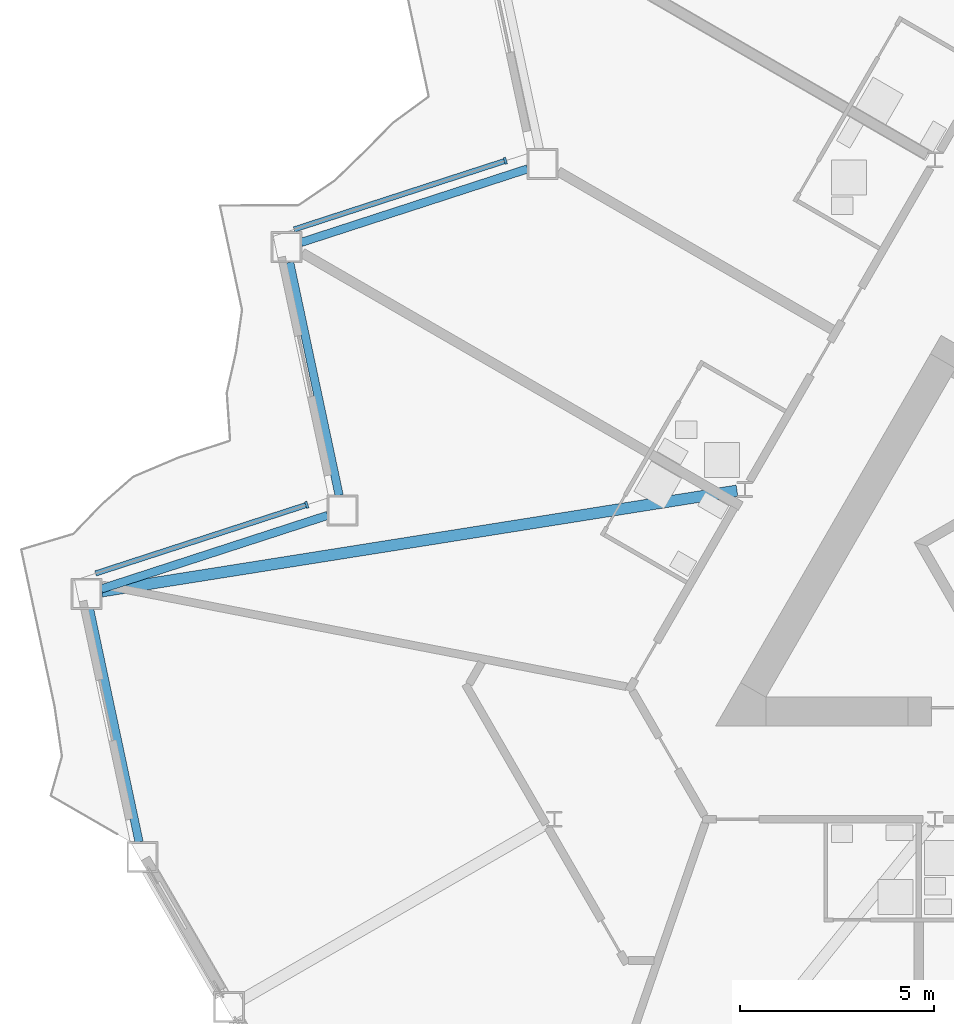
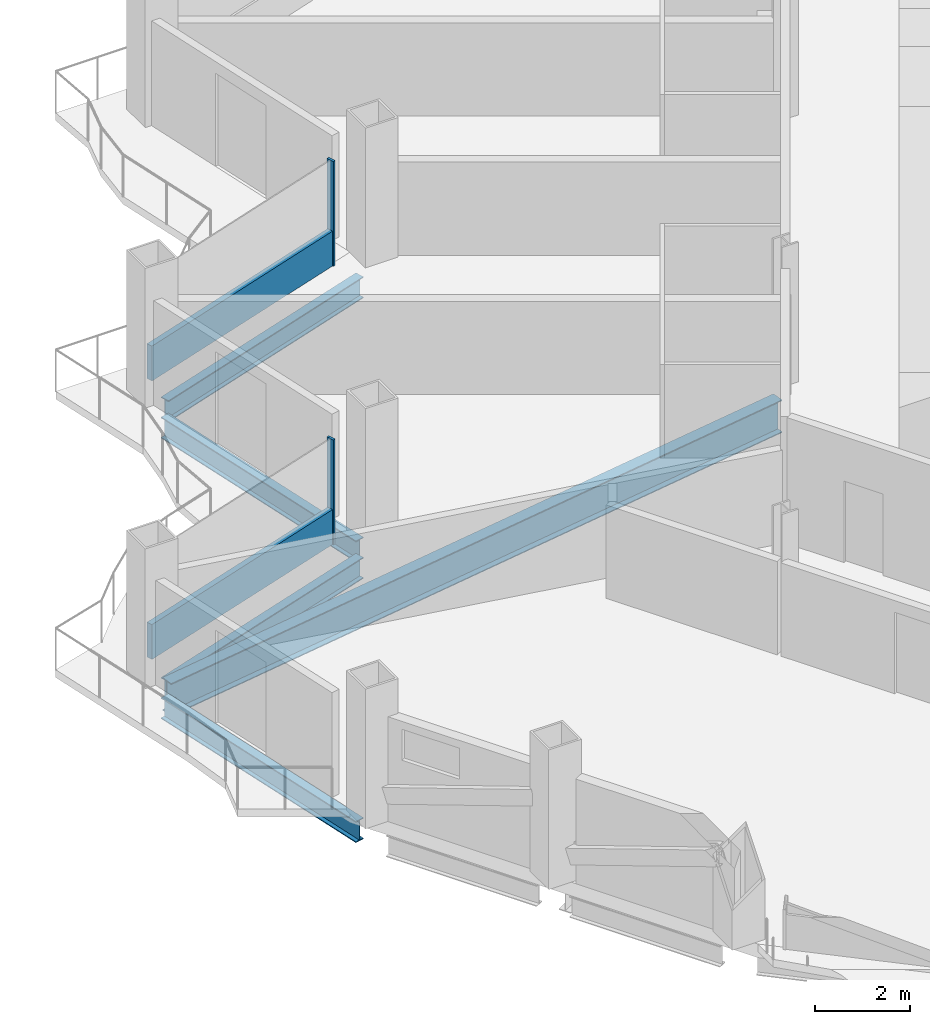
# One storey, part 4 of 23: 5 beams, 4 members, 2 elements without a shape of their own.
"""IFC4 building model written with IfcOpenShell, lengths in metres."""

from ifc_helpers import new_model, si_unit, direction, frame, origin, origin_2d, place, context, subcontext, project, spatial, rectangle, i_section, extrude, material, layer, layer_set, material_profile, profile_set, type_object, element, aggregate, save


model = new_model("IFC4")

# Units and contexts
model_context = context("Model", 3, precision=1e-05, world=origin(), true_north=direction((0.0, 1.0)))
body_context = subcontext(model_context, "Body", "Model", "MODEL_VIEW")
ifc_project = project(units=[si_unit("LENGTHUNIT", "METRE"), si_unit("AREAUNIT", "SQUARE_METRE"), si_unit("VOLUMEUNIT", "CUBIC_METRE"), si_unit("PLANEANGLEUNIT", "RADIAN"), si_unit("MASSUNIT", "GRAM", prefix="KILO")], contexts=[model_context])

# Site, building, storey
site_placement = place(None, origin())
site = spatial("IfcSite", under=ifc_project, at=site_placement, CompositionType="ELEMENT")
building_placement = place(site_placement, origin())
building = spatial("IfcBuilding", under=site, at=building_placement, Name="Cormorant Prow Tower", CompositionType="ELEMENT")
storey_placement = place(building_placement, frame((0.0, 0.0, 183.60009765625)))
storey = spatial("IfcBuildingStorey", under=building, at=storey_placement, Name="L39", CompositionType="ELEMENT", Elevation=183.60009765625)

# Curtain wall, member
ifc_material_1 = material(Name="Aluminium 6063-T6", Category="aluminium")
ifc_layer = layer(ifc_material_1, 0.179931640625)
ifc_layer_set = layer_set([ifc_layer], Name="Aluminium 6063-T6")
curtain_wall_type = type_object("IfcCurtainWallType", Name="Hotel unitised curtain wall 180", PredefinedType="NOTDEFINED", material=ifc_layer_set)
curtain_wall_1_placement = place(storey_placement, origin())
curtain_wall_1 = element("IfcCurtainWall", 1, at=curtain_wall_1_placement, inside=storey, type_object=curtain_wall_type, Name="Hotel curtain wall WNW06", PredefinedType="NOTDEFINED")
ifc_material_2 = material(Name="Aluminium 6063-T6", Category="aluminium")
ifc_material_profile_1 = material_profile(ifc_material_2, rectangle(XDim=0.179931640625, YDim=0.06005859375, at=origin_2d()), Name="Hotel mullion 60x180")
ifc_profile_set_1 = profile_set([ifc_material_profile_1], Name="Aluminium 6063-T6")
member_type_1 = type_object("IfcMemberType", Name="Hotel mullion 60x180", PredefinedType="MULLION", material=ifc_profile_set_1)
member_1_placement = place(storey_placement, frame((-20.921875, 5.645751953125, 0.0), z_axis=(0.0, 0.0, 1.0), x_axis=(0.309016960463, -0.951056527314, 0.0)))
member_1 = element("IfcMember", 2, at=member_1_placement, type_object=member_type_1, Name="Hotel mullion WNW06", PredefinedType="MULLION", context=body_context, shape_type="SweptSolid", body=[
    extrude(rectangle(XDim=0.179931640625, YDim=0.06005859375, at=origin_2d()), origin(), (0.0, 0.0, 1.0), 2.70068359375),
])

curtain_wall_2_placement = place(storey_placement, origin())
curtain_wall_2 = element("IfcCurtainWall", 3, at=curtain_wall_2_placement, inside=storey, type_object=curtain_wall_type, Name="Hotel curtain wall WNW08", PredefinedType="NOTDEFINED")
member_2_placement = place(storey_placement, frame((-26.049072265625, -3.234619140625, 0.0), z_axis=(0.0, 0.0, 1.0), x_axis=(0.309016960463, -0.951056527314, 0.0)))
member_2 = element("IfcMember", 4, at=member_2_placement, type_object=member_type_1, Name="Hotel mullion WNW08", PredefinedType="MULLION", context=body_context, shape_type="SweptSolid", body=[
    extrude(rectangle(XDim=0.179931640625, YDim=0.06005859375, at=origin_2d()), origin(), (0.0, 0.0, 1.0), 2.70068359375),
])

# Member
ifc_material_3 = material(Name="Terracotta", Category="masonry")
ifc_material_profile_2 = material_profile(ifc_material_3, rectangle(XDim=0.139892578125, YDim=0.89990234375, at=origin_2d()), Name="Hotel terracotta spandrel rail 140x900")
ifc_profile_set_2 = profile_set([ifc_material_profile_2], Name="Terracotta")
member_type_2 = type_object("IfcMemberType", Name="Hotel terracotta spandrel rail 140x900", PredefinedType="USERDEFINED", material=ifc_profile_set_2)
member_3_placement = place(storey_placement, frame((-20.950439453125, 5.636474609375, 0.449951171875), z_axis=(-0.951065836987, -0.308988306764, 0.0), x_axis=(0.308988306764, -0.951065836987, 0.0)))
member_3 = element("IfcMember", 5, at=member_3_placement, type_object=member_type_2, Name="Hotel spandrel rail WNW06", ObjectType="TRANSOM", PredefinedType="USERDEFINED", context=body_context, shape_type="SweptSolid", body=[
    extrude(rectangle(XDim=0.139892578125, YDim=0.89990234375, at=origin_2d()), origin(), (0.0, 0.0, 1.0), 5.703125),
])

aggregate(curtain_wall_1, [member_1, member_3])

member_4_placement = place(storey_placement, frame((-26.07763671875, -3.243896484375, 0.449951171875), z_axis=(-0.951053256447, -0.309027026975, 0.0), x_axis=(0.309027026975, -0.951053256447, 0.0)))
member_4 = element("IfcMember", 6, at=member_4_placement, type_object=member_type_2, Name="Hotel spandrel rail WNW08", ObjectType="TRANSOM", PredefinedType="USERDEFINED", context=body_context, shape_type="SweptSolid", body=[
    extrude(rectangle(XDim=0.139892578125, YDim=0.89990234375, at=origin_2d()), origin(), (0.0, 0.0, 1.0), 5.703125),
])

aggregate(curtain_wall_2, [member_2, member_4])

# Beams
ifc_material_4 = material(Name="Structural steel ASTM A992 Gr 50", Category="steel")
ifc_material_profile_3 = material_profile(ifc_material_4, i_section(OverallWidth=0.29296875, OverallDepth=0.845703125, WebThickness=0.015380859375, FlangeThickness=0.0244140625, at=origin_2d()), Name="W33x141")
ifc_profile_set_3 = profile_set([ifc_material_profile_3], Name="Structural steel ASTM A992 Gr 50")
beam_type_1 = type_object("IfcBeamType", Name="Radial floor beam W33x141", PredefinedType="BEAM", material=ifc_profile_set_3)
beam_1_placement = place(storey_placement, frame((-14.94384765625, -2.869140625, -0.77294921875), z_axis=(-0.987678058302, -0.156499371084, 0.0), x_axis=(0.156499371084, -0.987678058302, 0.0)))
element("IfcBeam", 7, at=beam_1_placement, inside=storey, type_object=beam_type_1, Name="Radial floor beam FB2 4 L39", PredefinedType="BEAM", context=body_context, shape_type="SweptSolid", body=[
    extrude(i_section(OverallWidth=0.29296875, OverallDepth=0.845703125, WebThickness=0.015380859375, FlangeThickness=0.0244140625, at=origin_2d()), origin(), (0.0, 0.0, 1.0), 16.604736328125),
])
ifc_material_5 = material(Name="Structural steel ASTM A992 Gr 50", Category="steel")
ifc_material_profile_4 = material_profile(ifc_material_5, i_section(OverallWidth=0.2138671875, OverallDepth=0.549072265625, WebThickness=0.0146484375, FlangeThickness=0.023681640625, at=origin_2d()), Name="W21x93")
ifc_profile_set_4 = profile_set([ifc_material_profile_4], Name="Structural steel ASTM A992 Gr 50")
beam_type_2 = type_object("IfcBeamType", Name="Spandrel beam W21x93", PredefinedType="SPANDREL", material=ifc_profile_set_4)
beam_2_placement = place(storey_placement, frame((-20.344970703125, 5.439208984375, -0.624755859375), z_axis=(-0.951057696564, -0.309013361859, 0.0), x_axis=(0.309013361859, -0.951057696564, 0.0)))
element("IfcBeam", 8, at=beam_2_placement, inside=storey, type_object=beam_type_2, Name="Spandrel beam SB2 WNW06-WNW07 L39", PredefinedType="SPANDREL", context=body_context, shape_type="SweptSolid", body=[
    extrude(i_section(OverallWidth=0.2138671875, OverallDepth=0.549072265625, WebThickness=0.0146484375, FlangeThickness=0.023681640625, at=origin_2d()), origin(), (0.0, 0.0, 1.0), 6.14990234375),
])
beam_3_placement = place(storey_placement, frame((-26.490966796875, 3.02392578125, -0.624755859375), z_axis=(0.207904811195, -0.978149063018, 0.0), x_axis=(0.978149063018, 0.207904811195, 0.0)))
element("IfcBeam", 9, at=beam_3_placement, inside=storey, type_object=beam_type_2, Name="Spandrel beam SB2 WNW07-WNW08 L39", PredefinedType="SPANDREL", context=body_context, shape_type="SweptSolid", body=[
    extrude(i_section(OverallWidth=0.2138671875, OverallDepth=0.549072265625, WebThickness=0.0146484375, FlangeThickness=0.023681640625, at=origin_2d()), origin(), (0.0, 0.0, 1.0), 6.149658203125),
])
beam_4_placement = place(storey_placement, frame((-25.509765625, -3.50634765625, -0.624755859375), z_axis=(-0.951057696564, -0.309013361859, 0.0), x_axis=(0.309013361859, -0.951057696564, 0.0)))
element("IfcBeam", 10, at=beam_4_placement, inside=storey, type_object=beam_type_2, Name="Spandrel beam SB2 WNW08-WNW09 L39", PredefinedType="SPANDREL", context=body_context, shape_type="SweptSolid", body=[
    extrude(i_section(OverallWidth=0.2138671875, OverallDepth=0.549072265625, WebThickness=0.0146484375, FlangeThickness=0.023681640625, at=origin_2d()), origin(), (0.0, 0.0, 1.0), 6.14990234375),
])
beam_5_placement = place(storey_placement, frame((-31.65576171875, -5.921630859375, -0.624755859375), z_axis=(0.207904811195, -0.978149063018, 0.0), x_axis=(0.978149063018, 0.207904811195, 0.0)))
element("IfcBeam", 11, at=beam_5_placement, inside=storey, type_object=beam_type_2, Name="Spandrel beam SB2 WNW09-WSW00 L39", PredefinedType="SPANDREL", context=body_context, shape_type="SweptSolid", body=[
    extrude(i_section(OverallWidth=0.2138671875, OverallDepth=0.549072265625, WebThickness=0.0146484375, FlangeThickness=0.023681640625, at=origin_2d()), origin(), (0.0, 0.0, 1.0), 6.149658203125),
])

save(model, "model.ifc")
